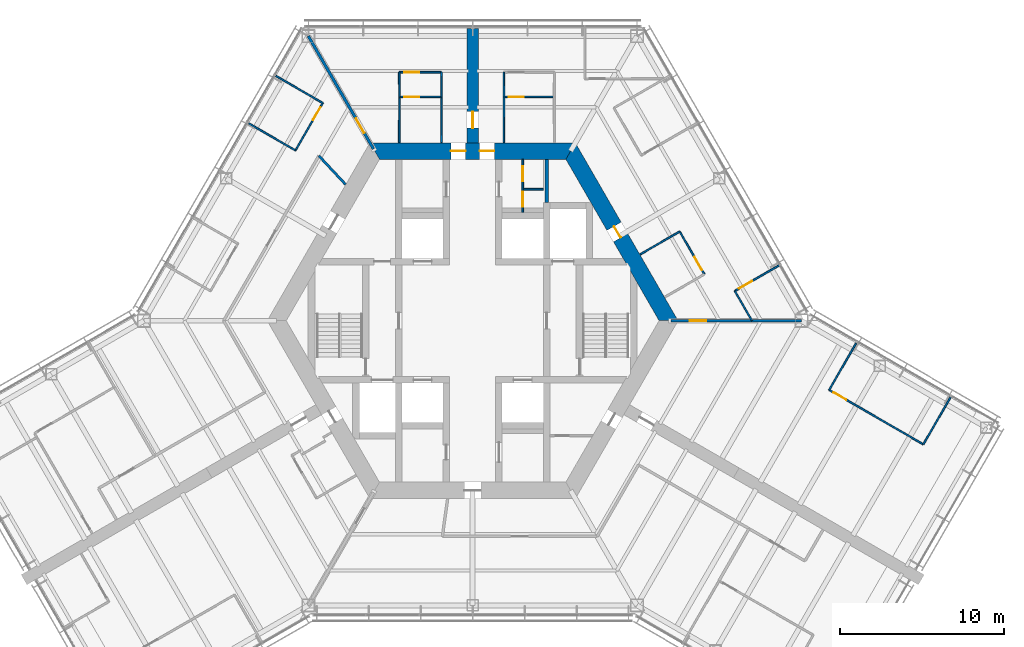
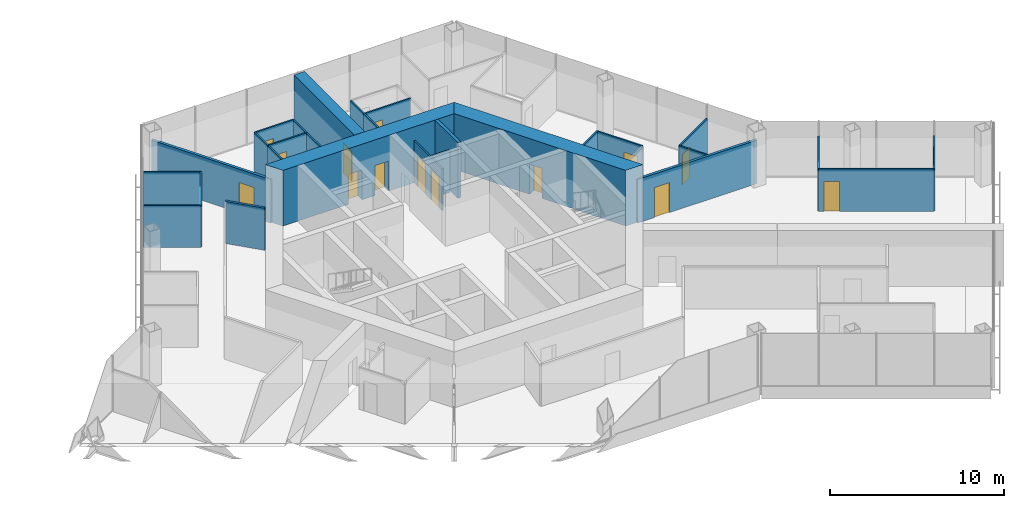
# One storey, part 14 of 18: 28 walls, 15 doors, 15 openings.
"""IFC4 building model written with IfcOpenShell, lengths in metres."""

from ifc_helpers import new_model, si_unit, direction, frame, frame_2d, origin, place, context, subcontext, project, spatial, polyline, rectangle, outline, extrude, material, layer, layer_set, type_object, element, fill, save


model = new_model("IFC4")

# Units and contexts
model_context = context("Model", 3, precision=1e-05, world=origin(), true_north=direction((0.0, 1.0)))
body_context = subcontext(model_context, "Body", "Model", "MODEL_VIEW")
ifc_project = project(units=[si_unit("LENGTHUNIT", "METRE"), si_unit("AREAUNIT", "SQUARE_METRE"), si_unit("VOLUMEUNIT", "CUBIC_METRE"), si_unit("PLANEANGLEUNIT", "RADIAN"), si_unit("MASSUNIT", "GRAM", prefix="KILO")], contexts=[model_context])

# Site, building, storey
site_placement = place(None, origin())
site = spatial("IfcSite", under=ifc_project, at=site_placement, CompositionType="ELEMENT")
building_placement = place(site_placement, origin())
building = spatial("IfcBuilding", under=site, at=building_placement, Name="Kasaneha Research Tower", CompositionType="ELEMENT")
storey_placement = place(building_placement, frame((0.0, 0.0, 152.60009765625)))
storey = spatial("IfcBuildingStorey", under=building, at=storey_placement, Name="L38", CompositionType="ELEMENT", Elevation=152.60009765625)

# Wall, opening, door
ifc_material_1 = material(Name="Concrete Fc70", Category="concrete")
ifc_layer_1 = layer(ifc_material_1, 1.0)
ifc_layer_set_1 = layer_set([ifc_layer_1], Name="Core wall 1000 Fc70")
wall_type_1 = type_object("IfcWallType", Name="Core wall 1000 Fc70", PredefinedType="SHEAR", material=ifc_layer_set_1)
wall_1_placement = place(storey_placement, frame((11.92236328125, 0.0, 0.0), z_axis=(0.0, 0.0, 1.0), x_axis=(-0.500004296715, 0.866022923061, 0.0)))
wall_1 = element("IfcWall", 1, at=wall_1_placement, inside=storey, type_object=wall_type_1, Name="Core wall 030 L38", PredefinedType="SHEAR", context=body_context, shape_type="SweptSolid", body=[
    extrude(outline(polyline([(-0.28857421875, -0.5), (5.83544921875, -0.5), (6.635498046875, -0.5), (12.2109375, -0.5), (11.6337890625, 0.5), (6.635498046875, 0.5), (5.83544921875, 0.5), (0.28857421875, 0.5), (-0.28857421875, -0.5)])), origin(), (0.0, 0.0, 1.0), 3.89990234375),
])
opening_1_placement = place(wall_1_placement, frame((5.83544921875, 0.0, 0.0)))
opening_1 = element("IfcOpeningElement", 2, at=opening_1_placement, cuts=wall_1, Name="Opening L38-D04", PredefinedType="OPENING", context=body_context, shape_type="SweptSolid", body=[
    extrude(rectangle(XDim=0.800048828125, YDim=2.10009765625, at=frame_2d((0.39990234375, 1.050048828125))), frame((0.0, 0.510009765625, 0.0), z_axis=(0.0, -1.0, 0.0), x_axis=(1.0, 0.0, 0.0)), (0.0, 0.0, 1.0), 1.02001953125),
])
ifc_material_2 = material(Name="Steel", Category="steel")
door_type_1 = type_object("IfcDoorType", Name="Riser access door FD60 800x2100", OperationType="NOTDEFINED", PredefinedType="DOOR", material=ifc_material_2)
door_1_placement = place(opening_1_placement, origin())
door_1 = element("IfcDoor", 3, at=door_1_placement, inside=storey, type_object=door_type_1, Name="Pipe riser door L38-D04", OperationType="SINGLE_SWING_RIGHT", OverallHeight=2.10009765625, OverallWidth=0.800048828125, PredefinedType="DOOR", context=body_context, shape_type="SweptSolid", body=[
    extrude(rectangle(XDim=0.800048828125, YDim=2.10009765625, at=frame_2d((0.39990234375, 1.050048828125))), frame((0.0, 0.02490234375, 0.0), z_axis=(0.0, -1.0, 0.0), x_axis=(1.0, 0.0, 0.0)), (0.0, 0.0, 1.0), 0.050048828125),
])
fill(opening_1, door_1)

# Wall, openings, doors
wall_2_placement = place(storey_placement, frame((5.961181640625, 10.324951171875, 0.0), z_axis=(0.0, 0.0, 1.0), x_axis=(-1.0, 0.0, 0.0)))
wall_2 = element("IfcWall", 4, at=wall_2_placement, inside=storey, type_object=wall_type_1, Name="Core wall 090 L38", PredefinedType="SHEAR", context=body_context, shape_type="SweptSolid", body=[
    extrude(outline(polyline([(-0.28857421875, -0.5), (4.63623046875, -0.5), (5.5361328125, -0.5), (6.38623046875, -0.5), (7.2861328125, -0.5), (12.2109375, -0.5), (11.6337890625, 0.5), (7.2861328125, 0.5), (6.38623046875, 0.5), (5.5361328125, 0.5), (4.63623046875, 0.5), (0.28857421875, 0.5), (-0.28857421875, -0.5)])), origin(), (0.0, 0.0, 1.0), 3.89990234375),
])
opening_2_placement = place(wall_2_placement, frame((6.38623046875, 0.0, 0.0)))
opening_2 = element("IfcOpeningElement", 5, at=opening_2_placement, cuts=wall_2, Name="Opening L38-D01", PredefinedType="OPENING", context=body_context, shape_type="SweptSolid", body=[
    extrude(rectangle(XDim=0.89990234375, YDim=2.10009765625, at=frame_2d((0.449951171875, 1.050048828125))), frame((0.0, 0.510009765625, 0.0), z_axis=(0.0, -1.0, 0.0), x_axis=(1.0, 0.0, 0.0)), (0.0, 0.0, 1.0), 1.02001953125),
])
opening_3_placement = place(wall_2_placement, frame((4.63623046875, 0.0, 0.0)))
opening_3 = element("IfcOpeningElement", 6, at=opening_3_placement, cuts=wall_2, Name="Opening L38-D02", PredefinedType="OPENING", context=body_context, shape_type="SweptSolid", body=[
    extrude(rectangle(XDim=0.89990234375, YDim=2.10009765625, at=frame_2d((0.449951171875, 1.050048828125))), frame((0.0, 0.510009765625, 0.0), z_axis=(0.0, -1.0, 0.0), x_axis=(1.0, 0.0, 0.0)), (0.0, 0.0, 1.0), 1.02001953125),
])
ifc_material_3 = material(Name="Steel", Category="steel")
door_type_2 = type_object("IfcDoorType", Name="Toilet door FD20 900x2100", OperationType="NOTDEFINED", PredefinedType="DOOR", material=ifc_material_3)
door_2_placement = place(opening_2_placement, origin())
door_2 = element("IfcDoor", 7, at=door_2_placement, inside=storey, type_object=door_type_2, Name="Core door north 1 L38-D01", OperationType="SINGLE_SWING_RIGHT", OverallHeight=2.10009765625, OverallWidth=0.89990234375, PredefinedType="DOOR", context=body_context, shape_type="SweptSolid", body=[
    extrude(rectangle(XDim=0.89990234375, YDim=2.10009765625, at=frame_2d((0.449951171875, 1.050048828125))), frame((0.0, 0.02490234375, 0.0), z_axis=(0.0, -1.0, 0.0), x_axis=(1.0, 0.0, 0.0)), (0.0, 0.0, 1.0), 0.050048828125),
])
fill(opening_2, door_2)
door_3_placement = place(opening_3_placement, origin())
door_3 = element("IfcDoor", 8, at=door_3_placement, inside=storey, type_object=door_type_2, Name="Core door north 2 L38-D02", OperationType="SINGLE_SWING_LEFT", OverallHeight=2.10009765625, OverallWidth=0.89990234375, PredefinedType="DOOR", context=body_context, shape_type="SweptSolid", body=[
    extrude(rectangle(XDim=0.89990234375, YDim=2.10009765625, at=frame_2d((0.449951171875, 1.050048828125))), frame((0.0, 0.02490234375, 0.0), z_axis=(0.0, -1.0, 0.0), x_axis=(1.0, 0.0, 0.0)), (0.0, 0.0, 1.0), 0.050048828125),
])
fill(opening_3, door_3)

ifc_material_4 = material(Name="Gypsum board on steel studs, one layer each side", Category="steel")
ifc_layer_2 = layer(ifc_material_4, 0.10009765625)
ifc_layer_set_2 = layer_set([ifc_layer_2], Name="Office partition 100")
wall_type_2 = type_object("IfcWallType", Name="Office partition 100", PredefinedType="PARTITIONING", material=ifc_layer_set_2)
wall_3_placement = place(storey_placement, frame((3.050048828125, 6.60009765625, 0.0), z_axis=(0.0, 0.0, 1.0), x_axis=(0.0, 1.0, 0.0)))
wall_3 = element("IfcWall", 9, at=wall_3_placement, inside=storey, type_object=wall_type_2, Name="Office partition TBF1 L38", PredefinedType="PARTITIONING", context=body_context, shape_type="SweptSolid", body=[
    extrude(rectangle(XDim=3.224853515625, YDim=0.10009765625, at=frame_2d((1.6123046875, 0.0))), origin(), (0.0, 0.0, 1.0), 2.949951171875),
])
opening_4_placement = place(wall_3_placement, frame((1.887451171875, 0.0, 0.0)))
opening_4 = element("IfcOpeningElement", 10, at=opening_4_placement, cuts=wall_3, Name="Opening L38-D20", PredefinedType="OPENING", context=body_context, shape_type="SweptSolid", body=[
    extrude(rectangle(XDim=0.89990234375, YDim=2.10009765625, at=frame_2d((0.449951171875, 1.050048828125))), frame((0.0, 0.06005859375, 0.0), z_axis=(0.0, -1.0, 0.0), x_axis=(1.0, 0.0, 0.0)), (0.0, 0.0, 1.0), 0.1201171875),
])
opening_5_placement = place(wall_3_placement, frame((0.35009765625, 0.0, 0.0)))
opening_5 = element("IfcOpeningElement", 11, at=opening_5_placement, cuts=wall_3, Name="Opening L38-D21", PredefinedType="OPENING", context=body_context, shape_type="SweptSolid", body=[
    extrude(rectangle(XDim=0.89990234375, YDim=2.10009765625, at=frame_2d((0.449951171875, 1.050048828125))), frame((0.0, 0.06005859375, 0.0), z_axis=(0.0, -1.0, 0.0), x_axis=(1.0, 0.0, 0.0)), (0.0, 0.0, 1.0), 0.1201171875),
])
ifc_material_5 = material(Name="Steel", Category="steel")
door_type_3 = type_object("IfcDoorType", Name="Toilet lobby door FD30 900x2100", OperationType="NOTDEFINED", PredefinedType="DOOR", material=ifc_material_5)
door_4_placement = place(opening_4_placement, origin())
door_4 = element("IfcDoor", 12, at=door_4_placement, inside=storey, type_object=door_type_3, Name="Women's WC door L38-D20", OperationType="SINGLE_SWING_RIGHT", OverallHeight=2.10009765625, OverallWidth=0.89990234375, PredefinedType="DOOR", context=body_context, shape_type="SweptSolid", body=[
    extrude(rectangle(XDim=0.89990234375, YDim=2.10009765625, at=frame_2d((0.449951171875, 1.050048828125))), frame((0.0, 0.02490234375, 0.0), z_axis=(0.0, -1.0, 0.0), x_axis=(1.0, 0.0, 0.0)), (0.0, 0.0, 1.0), 0.050048828125),
])
fill(opening_4, door_4)
door_5_placement = place(opening_5_placement, origin())
door_5 = element("IfcDoor", 13, at=door_5_placement, inside=storey, type_object=door_type_3, Name="Cleaner's store door L38-D21", OperationType="SINGLE_SWING_RIGHT", OverallHeight=2.10009765625, OverallWidth=0.89990234375, PredefinedType="DOOR", context=body_context, shape_type="SweptSolid", body=[
    extrude(rectangle(XDim=0.89990234375, YDim=2.10009765625, at=frame_2d((0.449951171875, 1.050048828125))), frame((0.0, 0.02490234375, 0.0), z_axis=(0.0, -1.0, 0.0), x_axis=(1.0, 0.0, 0.0)), (0.0, 0.0, 1.0), 0.050048828125),
])
fill(opening_5, door_5)

# Wall
wall_4_placement = place(storey_placement, frame((3.10009765625, 8.0, 0.0), z_axis=(0.0, 0.0, 1.0), x_axis=(1.0, 0.0, 0.0)))
element("IfcWall", 14, at=wall_4_placement, inside=storey, type_object=wall_type_2, Name="Office partition TBF2 L38", PredefinedType="PARTITIONING", context=body_context, shape_type="SweptSolid", body=[
    extrude(rectangle(XDim=1.199951171875, YDim=0.10009765625, at=frame_2d((0.60009765625, 0.0))), origin(), (0.0, 0.0, 1.0), 2.949951171875),
])

# Wall, opening, door
wall_5_placement = place(storey_placement, frame((1.89990234375, 13.6201171875, 0.0), z_axis=(0.0, 0.0, 1.0), x_axis=(1.0, 0.0, 0.0)))
wall_5 = element("IfcWall", 15, at=wall_5_placement, inside=storey, type_object=wall_type_2, Name="Office partition FAE01 L38", PredefinedType="PARTITIONING", context=body_context, shape_type="SweptSolid", body=[
    extrude(rectangle(XDim=3.071044921875, YDim=0.10009765625, at=frame_2d((1.53564453125, 0.0))), origin(), (0.0, 0.0, 1.0), 2.949951171875),
])
opening_6_placement = place(wall_5_placement, frame((0.300048828125, 0.0, 0.0)))
opening_6 = element("IfcOpeningElement", 16, at=opening_6_placement, cuts=wall_5, Name="Opening L38-D26", PredefinedType="OPENING", context=body_context, shape_type="SweptSolid", body=[
    extrude(rectangle(XDim=0.89990234375, YDim=2.10009765625, at=frame_2d((0.449951171875, 1.050048828125))), frame((0.0, 0.06005859375, 0.0), z_axis=(0.0, -1.0, 0.0), x_axis=(1.0, 0.0, 0.0)), (0.0, 0.0, 1.0), 0.1201171875),
])
door_6_placement = place(opening_6_placement, origin())
door_6 = element("IfcDoor", 17, at=door_6_placement, inside=storey, type_object=door_type_3, Name="Women's WC door L38-D26", OperationType="SINGLE_SWING_LEFT", OverallHeight=2.10009765625, OverallWidth=0.89990234375, PredefinedType="DOOR", context=body_context, shape_type="SweptSolid", body=[
    extrude(rectangle(XDim=0.89990234375, YDim=2.10009765625, at=frame_2d((0.449951171875, 1.050048828125))), frame((0.0, 0.02490234375, 0.0), z_axis=(0.0, -1.0, 0.0), x_axis=(1.0, 0.0, 0.0)), (0.0, 0.0, 1.0), 0.050048828125),
])
fill(opening_6, door_6)

# Walls
wall_6_placement = place(storey_placement, frame((1.89990234375, 10.844970703125, 0.0), z_axis=(0.0, 0.0, 1.0), x_axis=(0.001668567099, 0.999998607941, 0.0)))
element("IfcWall", 18, at=wall_6_placement, inside=storey, type_object=wall_type_2, Name="Office partition FAE02 L38", PredefinedType="PARTITIONING", context=body_context, shape_type="SweptSolid", body=[
    extrude(rectangle(XDim=2.780029296875, YDim=0.10009765625, at=frame_2d((1.39013671875, 0.0))), origin(), (0.0, 0.0, 1.0), 2.949951171875),
])
wall_7_placement = place(storey_placement, frame((1.904541015625, 13.625, 0.0), z_axis=(0.0, 0.0, 1.0), x_axis=(-0.00309243313, 0.999995218417, 0.0)))
element("IfcWall", 19, at=wall_7_placement, inside=storey, type_object=wall_type_2, Name="Office partition FAE05 L38", PredefinedType="PARTITIONING", context=body_context, shape_type="SweptSolid", body=[
    extrude(rectangle(XDim=1.5, YDim=0.10009765625, at=frame_2d((0.75, 0.0))), origin(), (0.0, 0.0, 1.0), 2.949951171875),
])
wall_8_placement = place(storey_placement, frame((10.19189453125, 4.036865234375, 0.0), z_axis=(0.0, 0.0, 1.0), x_axis=(0.866018876994, 0.500011304563, 0.0)))
element("IfcWall", 20, at=wall_8_placement, inside=storey, type_object=wall_type_2, Name="Office partition FAE07 L38", PredefinedType="PARTITIONING", context=body_context, shape_type="SweptSolid", body=[
    extrude(rectangle(XDim=2.7802734375, YDim=0.10009765625, at=frame_2d((1.39013671875, 0.0))), origin(), (0.0, 0.0, 1.0), 2.949951171875),
])

# Wall, opening, door
wall_9_placement = place(storey_placement, frame((12.599609375, 5.427001953125, 0.0), z_axis=(0.0, 0.0, 1.0), x_axis=(0.499990139034, -0.866031096941, 0.0)))
wall_9 = element("IfcWall", 21, at=wall_9_placement, inside=storey, type_object=wall_type_2, Name="Office partition FAE08 L38", PredefinedType="PARTITIONING", context=body_context, shape_type="SweptSolid", body=[
    extrude(rectangle(XDim=3.0, YDim=0.10009765625, at=frame_2d((1.5, 0.0))), origin(), (0.0, 0.0, 1.0), 2.949951171875),
])
opening_7_placement = place(wall_9_placement, frame((1.800048828125, 0.0, 0.0)))
opening_7 = element("IfcOpeningElement", 22, at=opening_7_placement, cuts=wall_9, Name="Opening L38-D28", PredefinedType="OPENING", context=body_context, shape_type="SweptSolid", body=[
    extrude(rectangle(XDim=0.89990234375, YDim=2.10009765625, at=frame_2d((0.449951171875, 1.050048828125))), frame((0.0, 0.06005859375, 0.0), z_axis=(0.0, -1.0, 0.0), x_axis=(1.0, 0.0, 0.0)), (0.0, 0.0, 1.0), 0.1201171875),
])
ifc_material_6 = material(Name="Timber veneer", Category="wood")
door_type_4 = type_object("IfcDoorType", Name="Office door 900x2100", OperationType="SINGLE_SWING_LEFT", PredefinedType="DOOR", material=ifc_material_6)
door_7_placement = place(opening_7_placement, origin())
door_7 = element("IfcDoor", 23, at=door_7_placement, inside=storey, type_object=door_type_4, Name="Pantry door L38-D28", OperationType="SINGLE_SWING_RIGHT", OverallHeight=2.10009765625, OverallWidth=0.89990234375, PredefinedType="DOOR", context=body_context, shape_type="SweptSolid", body=[
    extrude(rectangle(XDim=0.89990234375, YDim=2.10009765625, at=frame_2d((0.449951171875, 1.050048828125))), frame((0.0, 0.02490234375, 0.0), z_axis=(0.0, -1.0, 0.0), x_axis=(1.0, 0.0, 0.0)), (0.0, 0.0, 1.0), 0.050048828125),
])
fill(opening_7, door_7)

wall_10_placement = place(storey_placement, frame((15.952392578125, 1.810546875, 0.0), z_axis=(0.0, 0.0, 1.0), x_axis=(0.866036212918, 0.499981277565, 0.0)))
wall_10 = element("IfcWall", 24, at=wall_10_placement, inside=storey, type_object=wall_type_2, Name="Office partition FAE14 L38", PredefinedType="PARTITIONING", context=body_context, shape_type="SweptSolid", body=[
    extrude(rectangle(XDim=3.1298828125, YDim=0.10009765625, at=frame_2d((1.56494140625, 0.0))), origin(), (0.0, 0.0, 1.0), 2.949951171875),
])
opening_8_placement = place(wall_10_placement, frame((0.300048828125, 0.0, 0.0)))
opening_8 = element("IfcOpeningElement", 25, at=opening_8_placement, cuts=wall_10, Name="Opening L38-D30", PredefinedType="OPENING", context=body_context, shape_type="SweptSolid", body=[
    extrude(rectangle(XDim=0.89990234375, YDim=2.10009765625, at=frame_2d((0.449951171875, 1.050048828125))), frame((0.0, 0.06005859375, 0.0), z_axis=(0.0, -1.0, 0.0), x_axis=(1.0, 0.0, 0.0)), (0.0, 0.0, 1.0), 0.1201171875),
])
door_8_placement = place(opening_8_placement, origin())
door_8 = element("IfcDoor", 26, at=door_8_placement, inside=storey, type_object=door_type_4, Name="Project room door L38-D30", OperationType="SINGLE_SWING_LEFT", OverallHeight=2.10009765625, OverallWidth=0.89990234375, PredefinedType="DOOR", context=body_context, shape_type="SweptSolid", body=[
    extrude(rectangle(XDim=0.89990234375, YDim=2.10009765625, at=frame_2d((0.449951171875, 1.050048828125))), frame((0.0, 0.02490234375, 0.0), z_axis=(0.0, -1.0, 0.0), x_axis=(1.0, 0.0, 0.0)), (0.0, 0.0, 1.0), 0.050048828125),
])
fill(opening_8, door_8)

# Wall
wall_11_placement = place(storey_placement, frame((16.986083984375, 0.02001953125, 0.0), z_axis=(0.0, 0.0, 1.0), x_axis=(-0.499974592989, 0.866040072032, 0.0)))
element("IfcWall", 27, at=wall_11_placement, inside=storey, type_object=wall_type_2, Name="Office partition FAE15 L38", PredefinedType="PARTITIONING", context=body_context, shape_type="SweptSolid", body=[
    extrude(rectangle(XDim=2.0673828125, YDim=0.10009765625, at=frame_2d((1.03369140625, 0.0))), origin(), (0.0, 0.0, 1.0), 2.949951171875),
])

# Wall, opening, door
wall_12_placement = place(storey_placement, frame((-4.465087890625, 13.6201171875, 0.0), z_axis=(0.0, 0.0, 1.0), x_axis=(1.0, 0.0, 0.0)))
wall_12 = element("IfcWall", 28, at=wall_12_placement, inside=storey, type_object=wall_type_2, Name="Office partition FAW01 L38", PredefinedType="PARTITIONING", context=body_context, shape_type="SweptSolid", body=[
    extrude(rectangle(XDim=2.565185546875, YDim=0.10009765625, at=frame_2d((1.28271484375, 0.0))), origin(), (0.0, 0.0, 1.0), 2.949951171875),
])
opening_9_placement = place(wall_12_placement, frame((0.300048828125, 0.0, 0.0)))
opening_9 = element("IfcOpeningElement", 29, at=opening_9_placement, cuts=wall_12, Name="Opening L38-D32", PredefinedType="OPENING", context=body_context, shape_type="SweptSolid", body=[
    extrude(rectangle(XDim=0.89990234375, YDim=2.10009765625, at=frame_2d((0.449951171875, 1.050048828125))), frame((0.0, 0.06005859375, 0.0), z_axis=(0.0, -1.0, 0.0), x_axis=(1.0, 0.0, 0.0)), (0.0, 0.0, 1.0), 0.1201171875),
])
door_9_placement = place(opening_9_placement, origin())
door_9 = element("IfcDoor", 30, at=door_9_placement, inside=storey, type_object=door_type_3, Name="Men's WC door L38-D32", OperationType="SINGLE_SWING_LEFT", OverallHeight=2.10009765625, OverallWidth=0.89990234375, PredefinedType="DOOR", context=body_context, shape_type="SweptSolid", body=[
    extrude(rectangle(XDim=0.89990234375, YDim=2.10009765625, at=frame_2d((0.449951171875, 1.050048828125))), frame((0.0, 0.02490234375, 0.0), z_axis=(0.0, -1.0, 0.0), x_axis=(1.0, 0.0, 0.0)), (0.0, 0.0, 1.0), 0.050048828125),
])
fill(opening_9, door_9)

# Walls
for number, where, z_axis, x_axis, name in (
    (31, (-4.465087890625, 10.844970703125, 0.0), (0.0, 0.0, 1.0), (0.001668567099, 0.999998607941, 0.0), "Office partition FAW02 L38"),
    (32, (-1.90478515625, 13.625, 0.0), (0.0, 0.0, 1.0), (0.001756386155, -0.999998457553, 0.0), "Office partition FAW03 L38"),
):
    element("IfcWall", number, at=place(storey_placement, frame(where, z_axis=z_axis, x_axis=x_axis)), inside=storey, type_object=wall_type_2, Name=name, PredefinedType="PARTITIONING", context=body_context, shape_type="SweptSolid", body=[
        extrude(rectangle(XDim=2.780029296875, YDim=0.10009765625, at=frame_2d((1.39013671875, 0.0))), origin(), (0.0, 0.0, 1.0), 2.949951171875),
    ])

# Wall, opening, door
wall_13_placement = place(storey_placement, frame((-4.465087890625, 15.125, 0.0), z_axis=(0.0, 0.0, 1.0), x_axis=(1.0, 0.0, 0.0)))
wall_13 = element("IfcWall", 33, at=wall_13_placement, inside=storey, type_object=wall_type_2, Name="Office partition FAW04 L38", PredefinedType="PARTITIONING", context=body_context, shape_type="SweptSolid", body=[
    extrude(rectangle(XDim=2.565185546875, YDim=0.10009765625, at=frame_2d((1.28271484375, 0.0))), origin(), (0.0, 0.0, 1.0), 2.949951171875),
])
opening_10_placement = place(wall_13_placement, frame((0.300048828125, 0.0, 0.0)))
opening_10 = element("IfcOpeningElement", 34, at=opening_10_placement, cuts=wall_13, Name="Opening L38-D33", PredefinedType="OPENING", context=body_context, shape_type="SweptSolid", body=[
    extrude(rectangle(XDim=0.89990234375, YDim=2.10009765625, at=frame_2d((0.449951171875, 1.050048828125))), frame((0.0, 0.06005859375, 0.0), z_axis=(0.0, -1.0, 0.0), x_axis=(1.0, 0.0, 0.0)), (0.0, 0.0, 1.0), 0.1201171875),
])
door_10_placement = place(opening_10_placement, origin())
door_10 = element("IfcDoor", 35, at=door_10_placement, inside=storey, type_object=door_type_3, Name="Toilet lobby door L38-D33", OperationType="SINGLE_SWING_LEFT", OverallHeight=2.10009765625, OverallWidth=0.89990234375, PredefinedType="DOOR", context=body_context, shape_type="SweptSolid", body=[
    extrude(rectangle(XDim=0.89990234375, YDim=2.10009765625, at=frame_2d((0.449951171875, 1.050048828125))), frame((0.0, 0.02490234375, 0.0), z_axis=(0.0, -1.0, 0.0), x_axis=(1.0, 0.0, 0.0)), (0.0, 0.0, 1.0), 0.050048828125),
])
fill(opening_10, door_10)

# Walls
for number, where, z_axis, x_axis, name in (
    (36, (-4.46044921875, 13.625, 0.0), (0.0, 0.0, 1.0), (-0.00309243313, 0.999995218417, 0.0), "Office partition FAW05 L38"),
    (37, (-1.89990234375, 15.125, 0.0), (0.0, 0.0, 1.0), (-0.003255191087, -0.999994701851, 0.0), "Office partition FAW06 L38"),
):
    element("IfcWall", number, at=place(storey_placement, frame(where, z_axis=z_axis, x_axis=x_axis)), inside=storey, type_object=wall_type_2, Name=name, PredefinedType="PARTITIONING", context=body_context, shape_type="SweptSolid", body=[
        extrude(rectangle(XDim=1.5, YDim=0.10009765625, at=frame_2d((0.75, 0.0))), origin(), (0.0, 0.0, 1.0), 2.949951171875),
    ])
wall_14_placement = place(storey_placement, frame((-11.979736328125, 14.901611328125, 0.0), z_axis=(0.0, 0.0, 1.0), x_axis=(0.866052736899, -0.499952654668, 0.0)))
element("IfcWall", 38, at=wall_14_placement, inside=storey, type_object=wall_type_2, Name="Office partition FBN07 L38", PredefinedType="PARTITIONING", context=body_context, shape_type="SweptSolid", body=[
    extrude(rectangle(XDim=3.304931640625, YDim=0.10009765625, at=frame_2d((1.65234375, 0.0))), origin(), (0.0, 0.0, 1.0), 2.949951171875),
])
wall_15_placement = place(storey_placement, frame((-10.782958984375, 10.364501953125, 0.0), z_axis=(0.0, 0.0, 1.0), x_axis=(-0.866021955858, 0.500005971936, 0.0)))
element("IfcWall", 39, at=wall_15_placement, inside=storey, type_object=wall_type_2, Name="Office partition FBN08 L38", PredefinedType="PARTITIONING", context=body_context, shape_type="SweptSolid", body=[
    extrude(rectangle(XDim=3.27978515625, YDim=0.10009765625, at=frame_2d((1.639892578125, 0.0))), origin(), (0.0, 0.0, 1.0), 2.949951171875),
])

# Wall, opening, door
wall_16_placement = place(storey_placement, frame((-9.117431640625, 13.249267578125, 0.0), z_axis=(0.0, 0.0, 1.0), x_axis=(-0.500001606164, -0.866024476463, 0.0)))
wall_16 = element("IfcWall", 40, at=wall_16_placement, inside=storey, type_object=wall_type_2, Name="Office partition FBN09 L38", PredefinedType="PARTITIONING", context=body_context, shape_type="SweptSolid", body=[
    extrude(rectangle(XDim=3.3310546875, YDim=0.10009765625, at=frame_2d((1.66552734375, 0.0))), origin(), (0.0, 0.0, 1.0), 2.949951171875),
])
opening_11_placement = place(wall_16_placement, frame((0.300048828125, 0.0, 0.0)))
opening_11 = element("IfcOpeningElement", 41, at=opening_11_placement, cuts=wall_16, Name="Opening L38-D36", PredefinedType="OPENING", context=body_context, shape_type="SweptSolid", body=[
    extrude(rectangle(XDim=0.89990234375, YDim=2.10009765625, at=frame_2d((0.449951171875, 1.050048828125))), frame((0.0, 0.06005859375, 0.0), z_axis=(0.0, -1.0, 0.0), x_axis=(1.0, 0.0, 0.0)), (0.0, 0.0, 1.0), 0.1201171875),
])
door_11_placement = place(opening_11_placement, origin())
door_11 = element("IfcDoor", 42, at=door_11_placement, inside=storey, type_object=door_type_4, Name="Interview room door L38-D36", OperationType="SINGLE_SWING_LEFT", OverallHeight=2.10009765625, OverallWidth=0.89990234375, PredefinedType="DOOR", context=body_context, shape_type="SweptSolid", body=[
    extrude(rectangle(XDim=0.89990234375, YDim=2.10009765625, at=frame_2d((0.449951171875, 1.050048828125))), frame((0.0, 0.02490234375, 0.0), z_axis=(0.0, -1.0, 0.0), x_axis=(1.0, 0.0, 0.0)), (0.0, 0.0, 1.0), 0.050048828125),
])
fill(opening_11, door_11)

# Wall
wall_17_placement = place(storey_placement, frame((21.692138671875, -4.210205078125, 0.0), z_axis=(0.0, 0.0, 1.0), x_axis=(0.50002956483, 0.866008333849, 0.0)))
element("IfcWall", 43, at=wall_17_placement, inside=storey, type_object=wall_type_2, Name="Office partition FCE01 L38", PredefinedType="PARTITIONING", context=body_context, shape_type="SweptSolid", body=[
    extrude(rectangle(XDim=3.280029296875, YDim=0.10009765625, at=frame_2d((1.64013671875, 0.0))), origin(), (0.0, 0.0, 1.0), 2.949951171875),
])

# Wall, opening, door
wall_18_placement = place(storey_placement, frame((27.425048828125, -7.52001953125, 0.0), z_axis=(0.0, 0.0, 1.0), x_axis=(-0.866030817826, 0.499990622488, 0.0)))
wall_18 = element("IfcWall", 44, at=wall_18_placement, inside=storey, type_object=wall_type_2, Name="Office partition FCE02 L38", PredefinedType="PARTITIONING", context=body_context, shape_type="SweptSolid", body=[
    extrude(rectangle(XDim=6.619873046875, YDim=0.10009765625, at=frame_2d((3.31005859375, 0.0))), origin(), (0.0, 0.0, 1.0), 2.949951171875),
])
opening_12_placement = place(wall_18_placement, frame((5.419677734375, 0.0, 0.0)))
opening_12 = element("IfcOpeningElement", 45, at=opening_12_placement, cuts=wall_18, Name="Opening L38-D43", PredefinedType="OPENING", context=body_context, shape_type="SweptSolid", body=[
    extrude(rectangle(XDim=0.89990234375, YDim=2.10009765625, at=frame_2d((0.449951171875, 1.050048828125))), frame((0.0, 0.06005859375, 0.0), z_axis=(0.0, -1.0, 0.0), x_axis=(1.0, 0.0, 0.0)), (0.0, 0.0, 1.0), 0.1201171875),
])
door_12_placement = place(opening_12_placement, origin())
door_12 = element("IfcDoor", 46, at=door_12_placement, inside=storey, type_object=door_type_4, Name="Project room door L38-D43", OperationType="SINGLE_SWING_RIGHT", OverallHeight=2.10009765625, OverallWidth=0.89990234375, PredefinedType="DOOR", context=body_context, shape_type="SweptSolid", body=[
    extrude(rectangle(XDim=0.89990234375, YDim=2.10009765625, at=frame_2d((0.449951171875, 1.050048828125))), frame((0.0, 0.02490234375, 0.0), z_axis=(0.0, -1.0, 0.0), x_axis=(1.0, 0.0, 0.0)), (0.0, 0.0, 1.0), 0.050048828125),
])
fill(opening_12, door_12)

# Walls
wall_19_placement = place(storey_placement, frame((29.077392578125, -4.65771484375, 0.0), z_axis=(0.0, 0.0, 1.0), x_axis=(-0.499952654668, -0.866052736899, 0.0)))
element("IfcWall", 47, at=wall_19_placement, inside=storey, type_object=wall_type_2, Name="Office partition FCE03 L38", PredefinedType="PARTITIONING", context=body_context, shape_type="SweptSolid", body=[
    extrude(rectangle(XDim=3.304931640625, YDim=0.10009765625, at=frame_2d((1.65234375, 0.0))), origin(), (0.0, 0.0, 1.0), 2.949951171875),
])
ifc_material_7 = material(Name="Concrete block", Category="concrete")
ifc_layer_3 = layer(ifc_material_7, 0.199951171875)
ifc_layer_set_3 = layer_set([ifc_layer_3], Name="Riser enclosure wall 200")
wall_type_3 = type_object("IfcWallType", Name="Riser enclosure wall 200", PredefinedType="STANDARD", material=ifc_layer_set_3)
wall_20_placement = place(storey_placement, frame((4.5, 7.199951171875, 0.0), z_axis=(0.0, 0.0, 1.0), x_axis=(0.0, 1.0, 0.0)))
element("IfcWall", 48, at=wall_20_placement, inside=storey, type_object=wall_type_3, Name="Riser enclosure wall L38", PredefinedType="STANDARD", context=body_context, shape_type="SweptSolid", body=[
    extrude(rectangle(XDim=2.625, YDim=0.199951171875, at=frame_2d((1.3125, 0.0))), origin(), (0.0, 0.0, 1.0), 3.89990234375),
])

# Wall, opening, door
ifc_material_8 = material(Name="Concrete Fc70", Category="concrete")
ifc_layer_4 = layer(ifc_material_8, 0.699951171875)
ifc_layer_set_4 = layer_set([ifc_layer_4], Name="Spine wall 700 Fc70")
wall_type_4 = type_object("IfcWallType", Name="Spine wall 700 Fc70", PredefinedType="SHEAR", material=ifc_layer_set_4)
wall_21_placement = place(storey_placement, frame((0.0, 10.824951171875, 0.0), z_axis=(0.0, 0.0, 1.0), x_axis=(0.0, 1.0, 0.0)))
wall_21 = element("IfcWall", 49, at=wall_21_placement, inside=storey, type_object=wall_type_4, Name="Spine wall A L38", PredefinedType="SHEAR", context=body_context, shape_type="SweptSolid", body=[
    extrude(rectangle(XDim=6.945556640625, YDim=0.699951171875, at=frame_2d((3.47265625, 0.0))), origin(), (0.0, 0.0, 1.0), 3.89990234375),
])
opening_13_placement = place(wall_21_placement, frame((0.89990234375, 0.0, 0.0)))
opening_13 = element("IfcOpeningElement", 50, at=opening_13_placement, cuts=wall_21, Name="Opening L38-D17", PredefinedType="OPENING", context=body_context, shape_type="SweptSolid", body=[
    extrude(rectangle(XDim=1.0, YDim=2.10009765625, at=frame_2d((0.5, 1.050048828125))), frame((0.0, 0.35986328125, 0.0), z_axis=(0.0, -1.0, 0.0), x_axis=(1.0, 0.0, 0.0)), (0.0, 0.0, 1.0), 0.719970703125),
])
ifc_material_9 = material(Name="Steel", Category="steel")
door_type_5 = type_object("IfcDoorType", Name="Specified fire door FD60 1000x2100", OperationType="NOTDEFINED", PredefinedType="DOOR", material=ifc_material_9)
door_13_placement = place(opening_13_placement, origin())
door_13 = element("IfcDoor", 51, at=door_13_placement, inside=storey, type_object=door_type_5, Name="Spine doorway A L38-D17", OperationType="SINGLE_SWING_LEFT", OverallHeight=2.10009765625, OverallWidth=1.0, PredefinedType="DOOR", context=body_context, shape_type="SweptSolid", body=[
    extrude(rectangle(XDim=1.0, YDim=2.10009765625, at=frame_2d((0.5, 1.050048828125))), frame((0.0, 0.02490234375, 0.0), z_axis=(0.0, -1.0, 0.0), x_axis=(1.0, 0.0, 0.0)), (0.0, 0.0, 1.0), 0.050048828125),
])
fill(opening_13, door_13)

# Wall
ifc_material_10 = material(Name="Gypsum board on steel studs, two layers each side", Category="steel")
ifc_layer_5 = layer(ifc_material_10, 0.14990234375)
ifc_layer_set_5 = layer_set([ifc_layer_5], Name="Suite partition 150")
wall_type_5 = type_object("IfcWallType", Name="Suite partition 150", PredefinedType="PARTITIONING", material=ifc_layer_set_5)
wall_22_placement = place(storey_placement, frame((-9.360107421875, 10.03759765625, 0.0), z_axis=(0.0, 0.0, 1.0), x_axis=(0.681997114248, -0.731354863358, 0.0)))
element("IfcWall", 52, at=wall_22_placement, inside=storey, type_object=wall_type_5, Name="Suite partition FBN04 L38", PredefinedType="PARTITIONING", context=body_context, shape_type="SweptSolid", body=[
    extrude(outline(polyline([(0.0, -0.074951171875), (2.384033203125, -0.074951171875), (2.384033203125, 0.0), (2.382080078125, 0.074951171875), (0.0, 0.074951171875), (0.0, -0.074951171875)])), origin(), (0.0, 0.0, 1.0), 2.949951171875),
])

# Wall, opening, door
ifc_material_11 = material(Name="Gypsum board on steel studs, two layers each side", Category="steel")
ifc_layer_6 = layer(ifc_material_11, 0.175048828125)
ifc_layer_set_6 = layer_set([ifc_layer_6], Name="Tenancy fire partition 175")
wall_type_6 = type_object("IfcWallType", Name="Tenancy fire partition 175", PredefinedType="PARTITIONING", material=ifc_layer_set_6)
wall_23_placement = place(storey_placement, frame((12.069580078125, 0.0, 0.0), z_axis=(0.0, 0.0, 1.0), x_axis=(1.0, 0.0, 0.0)))
wall_23 = element("IfcWall", 53, at=wall_23_placement, inside=storey, type_object=wall_type_6, Name="Tenancy fire partition T000 L38", PredefinedType="PARTITIONING", context=body_context, shape_type="SweptSolid", body=[
    extrude(rectangle(XDim=7.930419921875, YDim=0.175048828125, at=frame_2d((3.96533203125, 0.0))), origin(), (0.0, 0.0, 1.0), 3.0498046875),
])
opening_14_placement = place(wall_23_placement, frame((1.1298828125, 0.0, 0.0)))
opening_14 = element("IfcOpeningElement", 54, at=opening_14_placement, cuts=wall_23, Name="Opening L38-D23", PredefinedType="OPENING", context=body_context, shape_type="SweptSolid", body=[
    extrude(rectangle(XDim=1.0, YDim=2.10009765625, at=frame_2d((0.5, 1.050048828125))), frame((0.0, 0.09765625, 0.0), z_axis=(0.0, -1.0, 0.0), x_axis=(1.0, 0.0, 0.0)), (0.0, 0.0, 1.0), 0.195068359375),
])
ifc_material_12 = material(Name="Steel", Category="steel")
door_type_6 = type_object("IfcDoorType", Name="Suite entrance door FD60 1000x2100", OperationType="NOTDEFINED", PredefinedType="DOOR", material=ifc_material_12)
door_14_placement = place(opening_14_placement, origin())
door_14 = element("IfcDoor", 55, at=door_14_placement, inside=storey, type_object=door_type_6, Name="Connecting door L38-D23", OperationType="SINGLE_SWING_LEFT", OverallHeight=2.10009765625, OverallWidth=1.0, PredefinedType="DOOR", context=body_context, shape_type="SweptSolid", body=[
    extrude(rectangle(XDim=1.0, YDim=2.10009765625, at=frame_2d((0.5, 1.050048828125))), frame((0.0, 0.02490234375, 0.0), z_axis=(0.0, -1.0, 0.0), x_axis=(1.0, 0.0, 0.0)), (0.0, 0.0, 1.0), 0.050048828125),
])
fill(opening_14, door_14)

wall_24_placement = place(storey_placement, frame((-6.034912109375, 10.45263671875, 0.0), z_axis=(0.0, 0.0, 1.0), x_axis=(-0.499989830942, 0.866031274813, 0.0)))
wall_24 = element("IfcWall", 56, at=wall_24_placement, inside=storey, type_object=wall_type_6, Name="Tenancy fire partition T120 L38", PredefinedType="PARTITIONING", context=body_context, shape_type="SweptSolid", body=[
    extrude(rectangle(XDim=7.930419921875, YDim=0.175048828125, at=frame_2d((3.96533203125, 0.0))), origin(), (0.0, 0.0, 1.0), 3.0498046875),
])
opening_15_placement = place(wall_24_placement, frame((1.1298828125, 0.0, 0.0)))
opening_15 = element("IfcOpeningElement", 57, at=opening_15_placement, cuts=wall_24, Name="Opening L38-D24", PredefinedType="OPENING", context=body_context, shape_type="SweptSolid", body=[
    extrude(rectangle(XDim=1.0, YDim=2.10009765625, at=frame_2d((0.5, 1.050048828125))), frame((0.0, 0.09765625, 0.0), z_axis=(0.0, -1.0, 0.0), x_axis=(1.0, 0.0, 0.0)), (0.0, 0.0, 1.0), 0.195068359375),
])
door_15_placement = place(opening_15_placement, origin())
door_15 = element("IfcDoor", 58, at=door_15_placement, inside=storey, type_object=door_type_6, Name="Connecting door L38-D24", OperationType="SINGLE_SWING_LEFT", OverallHeight=2.10009765625, OverallWidth=1.0, PredefinedType="DOOR", context=body_context, shape_type="SweptSolid", body=[
    extrude(rectangle(XDim=1.0, YDim=2.10009765625, at=frame_2d((0.5, 1.050048828125))), frame((0.0, 0.02490234375, 0.0), z_axis=(0.0, -1.0, 0.0), x_axis=(1.0, 0.0, 0.0)), (0.0, 0.0, 1.0), 0.050048828125),
])
fill(opening_15, door_15)

save(model, "model.ifc")
